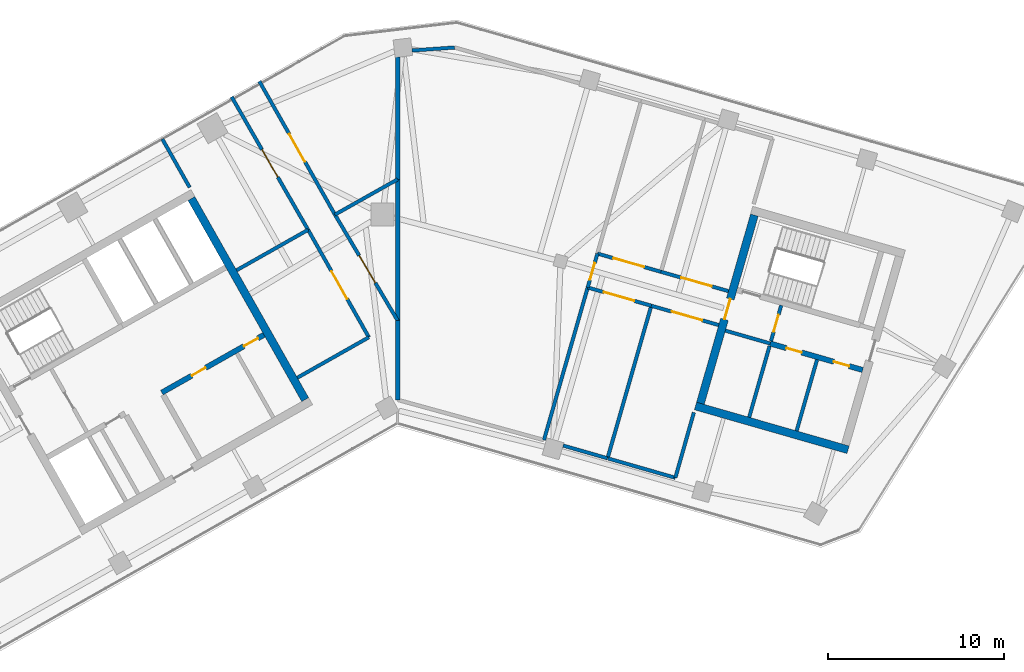
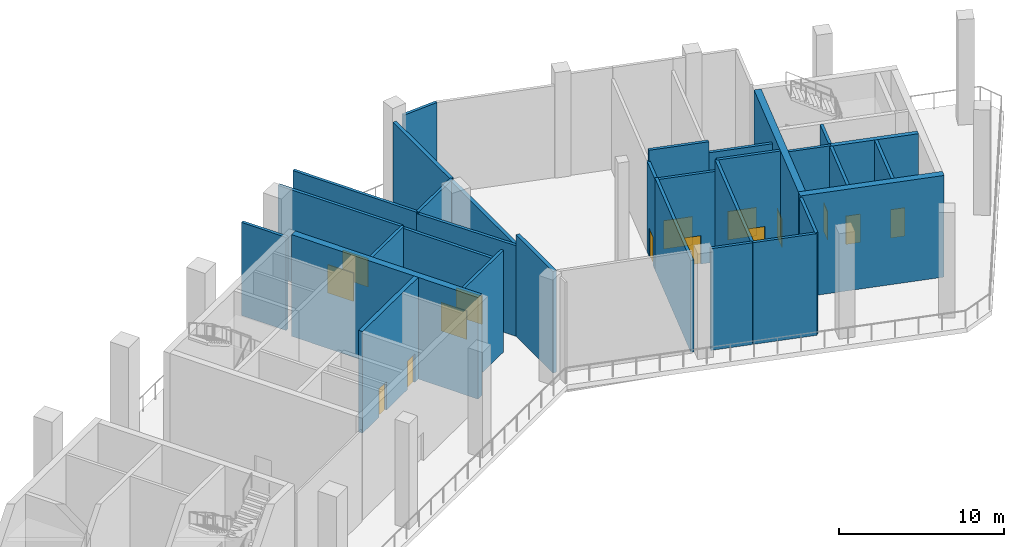
# One storey, part 4 of 8: 31 walls, 15 doors, 15 openings.
"""IFC4 building model written with IfcOpenShell, lengths in metres."""

from ifc_helpers import new_model, si_unit, direction, frame, frame_2d, origin, place, context, subcontext, project, spatial, rectangle, extrude, material, layer, layer_set, type_object, element, fill, save


model = new_model("IFC4")

# Units and contexts
model_context = context("Model", 3, precision=1e-05, world=origin(), true_north=direction((0.0, 1.0)))
body_context = subcontext(model_context, "Body", "Model", "MODEL_VIEW")
ifc_project = project(units=[si_unit("LENGTHUNIT", "METRE"), si_unit("AREAUNIT", "SQUARE_METRE"), si_unit("VOLUMEUNIT", "CUBIC_METRE"), si_unit("PLANEANGLEUNIT", "RADIAN"), si_unit("MASSUNIT", "GRAM", prefix="KILO")], contexts=[model_context])

# Site, building, storey
site_placement = place(None, origin())
site = spatial("IfcSite", under=ifc_project, at=site_placement, CompositionType="ELEMENT")
building_placement = place(site_placement, origin())
building = spatial("IfcBuilding", under=site, at=building_placement, Name="Binnacle Exchange Tower", CompositionType="ELEMENT")
storey_placement = place(building_placement, frame((0.0, 0.0, 230.89990234375)))
storey = spatial("IfcBuildingStorey", under=building, at=storey_placement, Name="L51", CompositionType="ELEMENT", Elevation=230.89990234375)

# Wall
ifc_material_1 = material(Name="Gypsum partition fire rated")
ifc_layer_1 = layer(ifc_material_1, 0.199951171875)
ifc_layer_set_1 = layer_set([ifc_layer_1], Name="Core partition 200")
wall_type_1 = type_object("IfcWallType", Name="Core partition 200", PredefinedType="PARTITIONING", material=ifc_layer_set_1)
wall_1_placement = place(storey_placement, frame((22.623291015625, 47.7392578125, 0.0), z_axis=(0.0, 0.0, 1.0), x_axis=(0.275642273411, 0.961260285827, 0.0)))
element("IfcWall", 1, at=wall_1_placement, inside=storey, type_object=wall_type_1, Name="Core wall CRWD10", PredefinedType="PARTITIONING", context=body_context, shape_type="SweptSolid", body=[
    extrude(rectangle(XDim=4.199951171875, YDim=0.199951171875, at=frame_2d((2.10009765625, 0.0))), origin(), (0.0, 0.0, 1.0), 7.52001953125),
])

# Wall, openings, doors
ifc_material_2 = material(Name="Concrete C70/85", Category="concrete")
ifc_layer_2 = layer(ifc_material_2, 0.300048828125)
ifc_layer_set_2 = layer_set([ifc_layer_2], Name="Core wall - front 300")
wall_type_2 = type_object("IfcWallType", Name="Core wall - front 300", PredefinedType="SOLIDWALL", material=ifc_layer_set_2)
wall_2_placement = place(storey_placement, frame((-13.364501953125, 49.910888671875, 0.0), z_axis=(0.0, 0.0, 1.0), x_axis=(0.870352159619, 0.492429810477, 0.0)))
wall_2 = element("IfcWall", 2, at=wall_2_placement, inside=storey, type_object=wall_type_2, Name="Core wall CRWC3", PredefinedType="SOLIDWALL", context=body_context, shape_type="SweptSolid", body=[
    extrude(rectangle(XDim=6.64990234375, YDim=0.300048828125, at=frame_2d((3.324951171875, 0.0))), origin(), (0.0, 0.0, 1.0), 7.52001953125),
])
opening_1_placement = place(wall_2_placement, frame((1.949951171875, 0.0, 0.0)))
opening_1 = element("IfcOpeningElement", 3, at=opening_1_placement, cuts=wall_2, Name="Opening DC18", PredefinedType="OPENING", context=body_context, shape_type="SweptSolid", body=[
    extrude(rectangle(XDim=0.89990234375, YDim=2.10009765625, at=frame_2d((0.449951171875, 1.050048828125))), frame((0.0, 0.159912109375, 0.0), z_axis=(0.0, -1.0, 0.0), x_axis=(1.0, 0.0, 0.0)), (0.0, 0.0, 1.0), 0.320068359375),
])
opening_2_placement = place(wall_2_placement, frame((5.35009765625, 0.0, 0.0)))
opening_2 = element("IfcOpeningElement", 4, at=opening_2_placement, cuts=wall_2, Name="Opening DC19", PredefinedType="OPENING", context=body_context, shape_type="SweptSolid", body=[
    extrude(rectangle(XDim=0.89990234375, YDim=2.10009765625, at=frame_2d((0.449951171875, 1.050048828125))), frame((0.0, 0.159912109375, 0.0), z_axis=(0.0, -1.0, 0.0), x_axis=(1.0, 0.0, 0.0)), (0.0, 0.0, 1.0), 0.320068359375),
])
ifc_material_3 = material(Name="Steel door leaf", Category="steel")
door_type_1 = type_object("IfcDoorType", Name="Fire door 900", OperationType="NOTDEFINED", PredefinedType="DOOR", material=ifc_material_3)
door_1_placement = place(opening_1_placement, frame((0.89990234375, 0.0, 0.0), z_axis=(0.0, 0.0, 1.0), x_axis=(-1.0, 0.0, 0.0)))
door_1 = element("IfcDoor", 5, at=door_1_placement, inside=storey, type_object=door_type_1, Name="Core room door TELECOM RISER ROOM", OperationType="SINGLE_SWING_RIGHT", OverallHeight=2.10009765625, OverallWidth=0.89990234375, PredefinedType="DOOR", context=body_context, shape_type="SweptSolid", body=[
    extrude(rectangle(XDim=0.89990234375, YDim=2.10009765625, at=frame_2d((0.449951171875, 1.050048828125))), frame((0.0, 0.02490234375, 0.0), z_axis=(0.0, -1.0, 0.0), x_axis=(1.0, 0.0, 0.0)), (0.0, 0.0, 1.0), 0.050048828125),
])
fill(opening_1, door_1)
door_2_placement = place(opening_2_placement, frame((0.89990234375, 0.0, 0.0), z_axis=(0.0, 0.0, 1.0), x_axis=(-1.0, 0.0, 0.0)))
door_2 = element("IfcDoor", 6, at=door_2_placement, inside=storey, type_object=door_type_1, Name="Core room door IT STORE", OperationType="SINGLE_SWING_LEFT", OverallHeight=2.10009765625, OverallWidth=0.89990234375, PredefinedType="DOOR", context=body_context, shape_type="SweptSolid", body=[
    extrude(rectangle(XDim=0.89990234375, YDim=2.10009765625, at=frame_2d((0.449951171875, 1.050048828125))), frame((0.0, 0.02490234375, 0.0), z_axis=(0.0, -1.0, 0.0), x_axis=(1.0, 0.0, 0.0)), (0.0, 0.0, 1.0), 0.050048828125),
])
fill(opening_2, door_2)

wall_3_placement = place(storey_placement, frame((21.130859375, 52.6923828125, 0.0), z_axis=(0.0, 0.0, 1.0), x_axis=(0.961261488075, -0.275638080722, 0.0)))
wall_3 = element("IfcWall", 7, at=wall_3_placement, inside=storey, type_object=wall_type_2, Name="Core wall CRWD3", PredefinedType="SOLIDWALL", context=body_context, shape_type="SweptSolid", body=[
    extrude(rectangle(XDim=5.449951171875, YDim=0.300048828125, at=frame_2d((2.72509765625, 0.0))), origin(), (0.0, 0.0, 1.0), 7.52001953125),
])
opening_3_placement = place(wall_3_placement, frame((0.949951171875, 0.0, 0.0)))
opening_3 = element("IfcOpeningElement", 8, at=opening_3_placement, cuts=wall_3, Name="Opening DD10", PredefinedType="OPENING", context=body_context, shape_type="SweptSolid", body=[
    extrude(rectangle(XDim=0.89990234375, YDim=2.10009765625, at=frame_2d((0.449951171875, 1.050048828125))), frame((0.0, 0.159912109375, 0.0), z_axis=(0.0, -1.0, 0.0), x_axis=(1.0, 0.0, 0.0)), (0.0, 0.0, 1.0), 0.320068359375),
])
opening_4_placement = place(wall_3_placement, frame((3.75, 0.0, 0.0)))
opening_4 = element("IfcOpeningElement", 9, at=opening_4_placement, cuts=wall_3, Name="Opening DD11", PredefinedType="OPENING", context=body_context, shape_type="SweptSolid", body=[
    extrude(rectangle(XDim=0.89990234375, YDim=2.10009765625, at=frame_2d((0.449951171875, 1.050048828125))), frame((0.0, 0.159912109375, 0.0), z_axis=(0.0, -1.0, 0.0), x_axis=(1.0, 0.0, 0.0)), (0.0, 0.0, 1.0), 0.320068359375),
])
door_3_placement = place(opening_3_placement, frame((0.89990234375, 0.0, 0.0), z_axis=(0.0, 0.0, 1.0), x_axis=(-1.0, 0.0, 0.0)))
door_3 = element("IfcDoor", 10, at=door_3_placement, inside=storey, type_object=door_type_1, Name="Core room door COMMS RISER ROOM", OperationType="SINGLE_SWING_RIGHT", OverallHeight=2.10009765625, OverallWidth=0.89990234375, PredefinedType="DOOR", context=body_context, shape_type="SweptSolid", body=[
    extrude(rectangle(XDim=0.89990234375, YDim=2.10009765625, at=frame_2d((0.449951171875, 1.050048828125))), frame((0.0, 0.02490234375, 0.0), z_axis=(0.0, -1.0, 0.0), x_axis=(1.0, 0.0, 0.0)), (0.0, 0.0, 1.0), 0.050048828125),
])
fill(opening_3, door_3)
door_4_placement = place(opening_4_placement, frame((0.89990234375, 0.0, 0.0), z_axis=(0.0, 0.0, 1.0), x_axis=(-1.0, 0.0, 0.0)))
door_4 = element("IfcDoor", 11, at=door_4_placement, inside=storey, type_object=door_type_1, Name="Core room door CLEANERS STORE", OperationType="SINGLE_SWING_LEFT", OverallHeight=2.10009765625, OverallWidth=0.89990234375, PredefinedType="DOOR", context=body_context, shape_type="SweptSolid", body=[
    extrude(rectangle(XDim=0.89990234375, YDim=2.10009765625, at=frame_2d((0.449951171875, 1.050048828125))), frame((0.0, 0.02490234375, 0.0), z_axis=(0.0, -1.0, 0.0), x_axis=(1.0, 0.0, 0.0)), (0.0, 0.0, 1.0), 0.050048828125),
])
fill(opening_4, door_4)

# Walls
ifc_layer_3 = layer(ifc_material_2, 0.449951171875)
ifc_layer_set_3 = layer_set([ifc_layer_3], Name="Core wall - outer 450")
wall_type_3 = type_object("IfcWallType", Name="Core wall - outer 450", PredefinedType="SOLIDWALL", material=ifc_layer_set_3)
wall_4_placement = place(storey_placement, frame((-11.689453125, 60.912109375, 0.0), z_axis=(0.0, 0.0, 1.0), x_axis=(0.492421378713, -0.870356930107, 0.0)))
element("IfcWall", 12, at=wall_4_placement, inside=storey, type_object=wall_type_3, Name="Core wall CRWC24", PredefinedType="SOLIDWALL", context=body_context, shape_type="SweptSolid", body=[
    extrude(rectangle(XDim=13.099853515625, YDim=0.449951171875, at=frame_2d((6.5498046875, 0.0))), origin(), (0.0, 0.0, 1.0), 7.52001953125),
])
wall_5_placement = place(storey_placement, frame((16.889892578125, 49.149169921875, 0.0), z_axis=(0.0, 0.0, 1.0), x_axis=(0.96126248289, -0.275634611374, 0.0)))
element("IfcWall", 13, at=wall_5_placement, inside=storey, type_object=wall_type_3, Name="Core wall CRWD1", PredefinedType="SOLIDWALL", context=body_context, shape_type="SweptSolid", body=[
    extrude(rectangle(XDim=9.0, YDim=0.449951171875, at=frame_2d((4.5, 0.0))), origin(), (0.0, 0.0, 1.0), 7.52001953125),
])

# Wall, opening, door
wall_6_placement = place(storey_placement, frame((17.168212890625, 49.303466796875, 0.0), z_axis=(0.0, 0.0, 1.0), x_axis=(0.275638974822, 0.961261231695, 0.0)))
wall_6 = element("IfcWall", 14, at=wall_6_placement, inside=storey, type_object=wall_type_3, Name="Core wall CRWD7", PredefinedType="SOLIDWALL", context=body_context, shape_type="SweptSolid", body=[
    extrude(rectangle(XDim=11.099853515625, YDim=0.449951171875, at=frame_2d((5.5498046875, 0.0))), origin(), (0.0, 0.0, 1.0), 7.52001953125),
])
opening_5_placement = place(wall_6_placement, frame((4.9501953125, 0.0, 0.0)))
opening_5 = element("IfcOpeningElement", 15, at=opening_5_placement, cuts=wall_6, Name="Opening DD5", PredefinedType="OPENING", context=body_context, shape_type="SweptSolid", body=[
    extrude(rectangle(XDim=1.199951171875, YDim=2.10009765625, at=frame_2d((0.60009765625, 1.050048828125))), frame((0.0, 0.23486328125, 0.0), z_axis=(0.0, -1.0, 0.0), x_axis=(1.0, 0.0, 0.0)), (0.0, 0.0, 1.0), 0.469970703125),
])
door_type_2 = type_object("IfcDoorType", Name="Fire door 1200", OperationType="NOTDEFINED", PredefinedType="DOOR", material=ifc_material_3)
door_5_placement = place(opening_5_placement, origin())
door_5 = element("IfcDoor", 16, at=door_5_placement, inside=storey, type_object=door_type_2, Name="Vestibule exit door VEST-W", OperationType="SINGLE_SWING_RIGHT", OverallHeight=2.10009765625, OverallWidth=1.199951171875, PredefinedType="DOOR", context=body_context, shape_type="SweptSolid", body=[
    extrude(rectangle(XDim=1.199951171875, YDim=2.10009765625, at=frame_2d((0.60009765625, 1.050048828125))), frame((0.0, 0.02490234375, 0.0), z_axis=(0.0, -1.0, 0.0), x_axis=(1.0, 0.0, 0.0)), (0.0, 0.0, 1.0), 0.050048828125),
])
fill(opening_5, door_5)

# Wall
ifc_material_4 = material(Name="Masonry block wall", Category="masonry")
ifc_layer_4 = layer(ifc_material_4, 0.199951171875)
ifc_layer_set_4 = layer_set([ifc_layer_4], Name="Fire wall - block 200")
wall_type_4 = type_object("IfcWallType", Name="Fire wall - block 200", PredefinedType="PARTITIONING", material=ifc_layer_set_4)
wall_7_placement = place(storey_placement, frame((-13.3369140625, 64.281982421875, 0.0), z_axis=(0.0, 0.0, 1.0), x_axis=(0.492254242764, -0.870451469342, 0.0)))
element("IfcWall", 17, at=wall_7_placement, inside=storey, type_object=wall_type_4, Name="Partition W10", PredefinedType="PARTITIONING", context=body_context, shape_type="SweptSolid", body=[
    extrude(rectangle(XDim=3.14453125, YDim=0.199951171875, at=frame_2d((1.572265625, 0.0))), origin(), (0.0, 0.0, 1.0), 6.88818359375),
])

# Wall, opening, door
wall_8_placement = place(storey_placement, frame((-9.407958984375, 66.677001953125, 0.0), z_axis=(0.0, 0.0, 1.0), x_axis=(0.498350836267, -0.866975457549, 0.0)))
wall_8 = element("IfcWall", 18, at=wall_8_placement, inside=storey, type_object=wall_type_4, Name="Partition W11", PredefinedType="PARTITIONING", context=body_context, shape_type="SweptSolid", body=[
    extrude(rectangle(XDim=8.694580078125, YDim=0.199951171875, at=frame_2d((4.34716796875, 0.0))), origin(), (0.0, 0.0, 1.0), 6.800048828125),
])
opening_6_placement = place(wall_8_placement, frame((3.449951171875, 0.0, 0.0)))
opening_6 = element("IfcOpeningElement", 19, at=opening_6_placement, cuts=wall_8, Name="Opening DL51-06", PredefinedType="OPENING", context=body_context, shape_type="SweptSolid", body=[
    extrude(rectangle(XDim=1.800048828125, YDim=2.10009765625, at=frame_2d((0.89990234375, 1.050048828125))), frame((0.0, 0.10986328125, 0.0), z_axis=(0.0, -1.0, 0.0), x_axis=(1.0, 0.0, 0.0)), (0.0, 0.0, 1.0), 0.219970703125),
])
door_type_3 = type_object("IfcDoorType", Name="Fire door 1800", OperationType="NOTDEFINED", PredefinedType="DOOR", material=ifc_material_3)
door_6_placement = place(opening_6_placement, frame((1.800048828125, 0.0, 0.0), z_axis=(0.0, 0.0, 1.0), x_axis=(-1.0, 0.0, 0.0)))
door_6 = element("IfcDoor", 20, at=door_6_placement, inside=storey, type_object=door_type_3, Name="Door DL51-06", OperationType="DOUBLE_DOOR_SINGLE_SWING", OverallHeight=2.10009765625, OverallWidth=1.800048828125, PredefinedType="DOOR", context=body_context, shape_type="SweptSolid", body=[
    extrude(rectangle(XDim=1.800048828125, YDim=2.10009765625, at=frame_2d((0.89990234375, 1.050048828125))), frame((0.0, 0.02490234375, 0.0), z_axis=(0.0, -1.0, 0.0), x_axis=(1.0, 0.0, 0.0)), (0.0, 0.0, 1.0), 0.050048828125),
])
fill(opening_6, door_6)

# Wall
wall_9_placement = place(storey_placement, frame((-9.1298828125, 56.844970703125, 0.0), z_axis=(0.0, 0.0, 1.0), x_axis=(0.870376359509, 0.49238703558, 0.0)))
element("IfcWall", 21, at=wall_9_placement, inside=storey, type_object=wall_type_4, Name="Partition W12", PredefinedType="PARTITIONING", context=body_context, shape_type="SweptSolid", body=[
    extrude(rectangle(XDim=4.658935546875, YDim=0.199951171875, at=frame_2d((2.32958984375, 0.0))), origin(), (0.0, 0.0, 1.0), 6.800048828125),
])

# Wall, opening, door
wall_10_placement = place(storey_placement, frame((-7.841064453125, 67.56396484375, 0.0), z_axis=(0.0, 0.0, 1.0), x_axis=(0.49330585857, -0.869855924795, 0.0)))
wall_10 = element("IfcWall", 22, at=wall_10_placement, inside=storey, type_object=wall_type_4, Name="Partition W13", PredefinedType="PARTITIONING", context=body_context, shape_type="SweptSolid", body=[
    extrude(rectangle(XDim=8.694580078125, YDim=0.199951171875, at=frame_2d((4.34716796875, 0.0))), origin(), (0.0, 0.0, 1.0), 6.800048828125),
])
opening_7_placement = place(wall_10_placement, frame((3.449951171875, 0.0, 0.0)))
opening_7 = element("IfcOpeningElement", 23, at=opening_7_placement, cuts=wall_10, Name="Opening DL51-08", PredefinedType="OPENING", context=body_context, shape_type="SweptSolid", body=[
    extrude(rectangle(XDim=1.800048828125, YDim=2.10009765625, at=frame_2d((0.89990234375, 1.050048828125))), frame((0.0, 0.10986328125, 0.0), z_axis=(0.0, -1.0, 0.0), x_axis=(1.0, 0.0, 0.0)), (0.0, 0.0, 1.0), 0.219970703125),
])
door_7_placement = place(opening_7_placement, origin())
door_7 = element("IfcDoor", 24, at=door_7_placement, inside=storey, type_object=door_type_3, Name="Door DL51-08", OperationType="DOUBLE_DOOR_SINGLE_SWING", OverallHeight=2.10009765625, OverallWidth=1.800048828125, PredefinedType="DOOR", context=body_context, shape_type="SweptSolid", body=[
    extrude(rectangle(XDim=1.800048828125, YDim=2.10009765625, at=frame_2d((0.89990234375, 1.050048828125))), frame((0.0, 0.02490234375, 0.0), z_axis=(0.0, -1.0, 0.0), x_axis=(1.0, 0.0, 0.0)), (0.0, 0.0, 1.0), 0.050048828125),
])
fill(opening_7, door_7)

# Wall
wall_11_placement = place(storey_placement, frame((-5.68310546875, 50.7529296875, 0.0), z_axis=(0.0, 0.0, 1.0), x_axis=(0.870366606776, 0.492404274767, 0.0)))
element("IfcWall", 25, at=wall_11_placement, inside=storey, type_object=wall_type_4, Name="Partition W14", PredefinedType="PARTITIONING", context=body_context, shape_type="SweptSolid", body=[
    extrude(rectangle(XDim=4.6591796875, YDim=0.199951171875, at=frame_2d((2.32958984375, 0.0))), origin(), (0.0, 0.0, 1.0), 7.52001953125),
])

# Wall, opening, door
wall_12_placement = place(storey_placement, frame((-5.074951171875, 59.138916015625, 0.0), z_axis=(0.0, 0.0, 1.0), x_axis=(0.492472114048, -0.870328223652, 0.0)))
wall_12 = element("IfcWall", 26, at=wall_12_placement, inside=storey, type_object=wall_type_4, Name="Partition W15", PredefinedType="PARTITIONING", context=body_context, shape_type="SweptSolid", body=[
    extrude(rectangle(XDim=6.99951171875, YDim=0.199951171875, at=frame_2d((3.499755859375, 0.0))), origin(), (0.0, 0.0, 1.0), 6.7001953125),
])
opening_8_placement = place(wall_12_placement, frame((2.699951171875, 0.0, 0.0)))
opening_8 = element("IfcOpeningElement", 27, at=opening_8_placement, cuts=wall_12, Name="Opening DL51-05", PredefinedType="OPENING", context=body_context, shape_type="SweptSolid", body=[
    extrude(rectangle(XDim=1.800048828125, YDim=2.10009765625, at=frame_2d((0.89990234375, 1.050048828125))), frame((0.0, 0.10986328125, 0.0), z_axis=(0.0, -1.0, 0.0), x_axis=(1.0, 0.0, 0.0)), (0.0, 0.0, 1.0), 0.219970703125),
])
door_8_placement = place(opening_8_placement, frame((1.800048828125, 0.0, 0.0), z_axis=(0.0, 0.0, 1.0), x_axis=(-1.0, 0.0, 0.0)))
door_8 = element("IfcDoor", 28, at=door_8_placement, inside=storey, type_object=door_type_3, Name="Door DL51-05", OperationType="DOUBLE_DOOR_SINGLE_SWING", OverallHeight=2.10009765625, OverallWidth=1.800048828125, PredefinedType="DOOR", context=body_context, shape_type="SweptSolid", body=[
    extrude(rectangle(XDim=1.800048828125, YDim=2.10009765625, at=frame_2d((0.89990234375, 1.050048828125))), frame((0.0, 0.02490234375, 0.0), z_axis=(0.0, -1.0, 0.0), x_axis=(1.0, 0.0, 0.0)), (0.0, 0.0, 1.0), 0.050048828125),
])
fill(opening_8, door_8)

wall_13_placement = place(storey_placement, frame((-3.552001953125, 60.0009765625, 0.0), z_axis=(0.0, 0.0, 1.0), x_axis=(0.509363754352, -0.860551315002, 0.0)))
wall_13 = element("IfcWall", 29, at=wall_13_placement, inside=storey, type_object=wall_type_4, Name="Partition W16", PredefinedType="PARTITIONING", context=body_context, shape_type="SweptSolid", body=[
    extrude(rectangle(XDim=6.973388671875, YDim=0.199951171875, at=frame_2d((3.48681640625, 0.0))), origin(), (0.0, 0.0, 1.0), 6.7001953125),
])
opening_9_placement = place(wall_13_placement, frame((2.699951171875, 0.0, 0.0)))
opening_9 = element("IfcOpeningElement", 30, at=opening_9_placement, cuts=wall_13, Name="Opening DL51-07", PredefinedType="OPENING", context=body_context, shape_type="SweptSolid", body=[
    extrude(rectangle(XDim=1.800048828125, YDim=2.10009765625, at=frame_2d((0.89990234375, 1.050048828125))), frame((0.0, 0.10986328125, 0.0), z_axis=(0.0, -1.0, 0.0), x_axis=(1.0, 0.0, 0.0)), (0.0, 0.0, 1.0), 0.219970703125),
])
door_9_placement = place(opening_9_placement, origin())
door_9 = element("IfcDoor", 31, at=door_9_placement, inside=storey, type_object=door_type_3, Name="Door DL51-07", OperationType="DOUBLE_DOOR_SINGLE_SWING", OverallHeight=2.10009765625, OverallWidth=1.800048828125, PredefinedType="DOOR", context=body_context, shape_type="SweptSolid", body=[
    extrude(rectangle(XDim=1.800048828125, YDim=2.10009765625, at=frame_2d((0.89990234375, 1.050048828125))), frame((0.0, 0.02490234375, 0.0), z_axis=(0.0, -1.0, 0.0), x_axis=(1.0, 0.0, 0.0)), (0.0, 0.0, 1.0), 0.050048828125),
])
fill(opening_9, door_9)

# Walls
wall_14_placement = place(storey_placement, frame((-3.552001953125, 60.0009765625, 0.0), z_axis=(0.0, 0.0, 1.0), x_axis=(0.87146833824, 0.490451766686, 0.0)))
element("IfcWall", 32, at=wall_14_placement, inside=storey, type_object=wall_type_4, Name="Partition W17", PredefinedType="PARTITIONING", context=body_context, shape_type="SweptSolid", body=[
    extrude(rectangle(XDim=4.075927734375, YDim=0.199951171875, at=frame_2d((2.0380859375, 0.0))), origin(), (0.0, 0.0, 1.0), 6.800048828125),
])
wall_15_placement = place(storey_placement, frame((0.822021484375, 69.306884765625, 0.0), z_axis=(0.0, 0.0, 1.0), x_axis=(0.997583073063, 0.069483899852, 0.0)))
element("IfcWall", 33, at=wall_15_placement, inside=storey, type_object=wall_type_4, Name="Partition W23", PredefinedType="PARTITIONING", context=body_context, shape_type="SweptSolid", body=[
    extrude(rectangle(XDim=2.4208984375, YDim=0.199951171875, at=frame_2d((1.21044921875, 0.0))), origin(), (0.0, 0.0, 1.0), 6.800048828125),
])
wall_16_placement = place(storey_placement, frame((8.298095703125, 47.218017578125, 0.0), z_axis=(0.0, 0.0, 1.0), x_axis=(0.275674053528, 0.961251172281, 0.0)))
element("IfcWall", 34, at=wall_16_placement, inside=storey, type_object=wall_type_4, Name="Partition W25", PredefinedType="PARTITIONING", context=body_context, shape_type="SweptSolid", body=[
    extrude(rectangle(XDim=8.99951171875, YDim=0.199951171875, at=frame_2d((4.499755859375, 0.0))), origin(), (0.0, 0.0, 1.0), 6.800048828125),
])
wall_17_placement = place(storey_placement, frame((9.383056640625, 46.906982421875, 0.0), z_axis=(0.0, 0.0, 1.0), x_axis=(0.961237645594, -0.275721215529, 0.0)))
element("IfcWall", 35, at=wall_17_placement, inside=storey, type_object=wall_type_4, Name="Partition W26", PredefinedType="PARTITIONING", context=body_context, shape_type="SweptSolid", body=[
    extrude(rectangle(XDim=2.611328125, YDim=0.199951171875, at=frame_2d((1.3056640625, 0.0))), origin(), (0.0, 0.0, 1.0), 7.52001953125),
])

# Wall, opening, door
wall_18_placement = place(storey_placement, frame((10.779052734375, 55.868896484375, 0.0), z_axis=(0.0, 0.0, 1.0), x_axis=(0.275575706981, 0.961279371318, 0.0)))
wall_18 = element("IfcWall", 36, at=wall_18_placement, inside=storey, type_object=wall_type_4, Name="Partition W27", PredefinedType="PARTITIONING", context=body_context, shape_type="SweptSolid", body=[
    extrude(rectangle(XDim=1.99951171875, YDim=0.199951171875, at=frame_2d((0.999755859375, 0.0))), origin(), (0.0, 0.0, 1.0), 6.7001953125),
])
opening_10_placement = place(wall_18_placement, frame((0.449951171875, 0.0, 0.0)))
opening_10 = element("IfcOpeningElement", 37, at=opening_10_placement, cuts=wall_18, Name="Opening DL51-13", PredefinedType="OPENING", context=body_context, shape_type="SweptSolid", body=[
    extrude(rectangle(XDim=1.0, YDim=2.10009765625, at=frame_2d((0.5, 1.050048828125))), frame((0.0, 0.10986328125, 0.0), z_axis=(0.0, -1.0, 0.0), x_axis=(1.0, 0.0, 0.0)), (0.0, 0.0, 1.0), 0.219970703125),
])
door_type_4 = type_object("IfcDoorType", Name="Fire door 1000", OperationType="NOTDEFINED", PredefinedType="DOOR", material=ifc_material_3)
door_10_placement = place(opening_10_placement, origin())
door_10 = element("IfcDoor", 38, at=door_10_placement, inside=storey, type_object=door_type_4, Name="Door DL51-13", OperationType="SINGLE_SWING_LEFT", OverallHeight=2.10009765625, OverallWidth=1.0, PredefinedType="DOOR", context=body_context, shape_type="SweptSolid", body=[
    extrude(rectangle(XDim=1.0, YDim=2.10009765625, at=frame_2d((0.5, 1.050048828125))), frame((0.0, 0.02490234375, 0.0), z_axis=(0.0, -1.0, 0.0), x_axis=(1.0, 0.0, 0.0)), (0.0, 0.0, 1.0), 0.050048828125),
])
fill(opening_10, door_10)

wall_19_placement = place(storey_placement, frame((10.779052734375, 55.868896484375, 0.0), z_axis=(0.0, 0.0, 1.0), x_axis=(0.961245866545, -0.275692553489, 0.0)))
wall_19 = element("IfcWall", 39, at=wall_19_placement, inside=storey, type_object=wall_type_4, Name="Partition W28", PredefinedType="PARTITIONING", context=body_context, shape_type="SweptSolid", body=[
    extrude(rectangle(XDim=3.750244140625, YDim=0.199951171875, at=frame_2d((1.875, 0.0))), origin(), (0.0, 0.0, 1.0), 6.7001953125),
])
opening_11_placement = place(wall_19_placement, frame((0.949951171875, 0.0, 0.0)))
opening_11 = element("IfcOpeningElement", 40, at=opening_11_placement, cuts=wall_19, Name="Opening DL51-11", PredefinedType="OPENING", context=body_context, shape_type="SweptSolid", body=[
    extrude(rectangle(XDim=1.800048828125, YDim=2.10009765625, at=frame_2d((0.89990234375, 1.050048828125))), frame((0.0, 0.10986328125, 0.0), z_axis=(0.0, -1.0, 0.0), x_axis=(1.0, 0.0, 0.0)), (0.0, 0.0, 1.0), 0.219970703125),
])
door_11_placement = place(opening_11_placement, frame((1.800048828125, 0.0, 0.0), z_axis=(0.0, 0.0, 1.0), x_axis=(-1.0, 0.0, 0.0)))
door_11 = element("IfcDoor", 41, at=door_11_placement, inside=storey, type_object=door_type_3, Name="Door DL51-11", OperationType="DOUBLE_DOOR_SINGLE_SWING", OverallHeight=2.10009765625, OverallWidth=1.800048828125, PredefinedType="DOOR", context=body_context, shape_type="SweptSolid", body=[
    extrude(rectangle(XDim=1.800048828125, YDim=2.10009765625, at=frame_2d((0.89990234375, 1.050048828125))), frame((0.0, 0.02490234375, 0.0), z_axis=(0.0, -1.0, 0.0), x_axis=(1.0, 0.0, 0.0)), (0.0, 0.0, 1.0), 0.050048828125),
])
fill(opening_11, door_11)

wall_20_placement = place(storey_placement, frame((11.330078125, 57.791015625, 0.0), z_axis=(0.0, 0.0, 1.0), x_axis=(0.961314848061, -0.275451924837, 0.0)))
wall_20 = element("IfcWall", 42, at=wall_20_placement, inside=storey, type_object=wall_type_4, Name="Partition W31", PredefinedType="PARTITIONING", context=body_context, shape_type="SweptSolid", body=[
    extrude(rectangle(XDim=3.75, YDim=0.199951171875, at=frame_2d((1.875, 0.0))), origin(), (0.0, 0.0, 1.0), 7.52001953125),
])
opening_12_placement = place(wall_20_placement, frame((0.949951171875, 0.0, 0.0)))
opening_12 = element("IfcOpeningElement", 43, at=opening_12_placement, cuts=wall_20, Name="Opening DL51-09", PredefinedType="OPENING", context=body_context, shape_type="SweptSolid", body=[
    extrude(rectangle(XDim=1.800048828125, YDim=2.10009765625, at=frame_2d((0.89990234375, 1.050048828125))), frame((0.0, 0.10986328125, 0.0), z_axis=(0.0, -1.0, 0.0), x_axis=(1.0, 0.0, 0.0)), (0.0, 0.0, 1.0), 0.219970703125),
])
door_12_placement = place(opening_12_placement, origin())
door_12 = element("IfcDoor", 44, at=door_12_placement, inside=storey, type_object=door_type_3, Name="Door DL51-09", OperationType="DOUBLE_DOOR_SINGLE_SWING", OverallHeight=2.10009765625, OverallWidth=1.800048828125, PredefinedType="DOOR", context=body_context, shape_type="SweptSolid", body=[
    extrude(rectangle(XDim=1.800048828125, YDim=2.10009765625, at=frame_2d((0.89990234375, 1.050048828125))), frame((0.0, 0.02490234375, 0.0), z_axis=(0.0, -1.0, 0.0), x_axis=(1.0, 0.0, 0.0)), (0.0, 0.0, 1.0), 0.050048828125),
])
fill(opening_12, door_12)

# Walls
wall_21_placement = place(storey_placement, frame((11.903076171875, 46.18408203125, 0.0), z_axis=(0.0, 0.0, 1.0), x_axis=(0.275674053528, 0.961251172281, 0.0)))
element("IfcWall", 45, at=wall_21_placement, inside=storey, type_object=wall_type_4, Name="Partition W32", PredefinedType="PARTITIONING", context=body_context, shape_type="SweptSolid", body=[
    extrude(rectangle(XDim=8.99951171875, YDim=0.199951171875, at=frame_2d((4.499755859375, 0.0))), origin(), (0.0, 0.0, 1.0), 7.52001953125),
])
wall_22_placement = place(storey_placement, frame((11.922119140625, 46.177978515625, 0.0), z_axis=(0.0, 0.0, 1.0), x_axis=(0.961271234801, -0.275604087675, 0.0)))
element("IfcWall", 46, at=wall_22_placement, inside=storey, type_object=wall_type_4, Name="Partition W33", PredefinedType="PARTITIONING", context=body_context, shape_type="SweptSolid", body=[
    extrude(rectangle(XDim=3.97998046875, YDim=0.199951171875, at=frame_2d((1.989990234375, 0.0))), origin(), (0.0, 0.0, 1.0), 7.52001953125),
])

# Wall, opening, door
wall_23_placement = place(storey_placement, frame((14.384033203125, 54.8349609375, 0.0), z_axis=(0.0, 0.0, 1.0), x_axis=(0.961261679898, -0.275637411757, 0.0)))
wall_23 = element("IfcWall", 47, at=wall_23_placement, inside=storey, type_object=wall_type_4, Name="Partition W35", PredefinedType="PARTITIONING", context=body_context, shape_type="SweptSolid", body=[
    extrude(rectangle(XDim=3.97607421875, YDim=0.199951171875, at=frame_2d((1.988037109375, 0.0))), origin(), (0.0, 0.0, 1.0), 7.52001953125),
])
opening_13_placement = place(wall_23_placement, frame((1.199951171875, 0.0, 0.0)))
opening_13 = element("IfcOpeningElement", 48, at=opening_13_placement, cuts=wall_23, Name="Opening DL51-12", PredefinedType="OPENING", context=body_context, shape_type="SweptSolid", body=[
    extrude(rectangle(XDim=1.800048828125, YDim=2.10009765625, at=frame_2d((0.89990234375, 1.050048828125))), frame((0.0, 0.10986328125, 0.0), z_axis=(0.0, -1.0, 0.0), x_axis=(1.0, 0.0, 0.0)), (0.0, 0.0, 1.0), 0.219970703125),
])
door_13_placement = place(opening_13_placement, frame((1.800048828125, 0.0, 0.0), z_axis=(0.0, 0.0, 1.0), x_axis=(-1.0, 0.0, 0.0)))
door_13 = element("IfcDoor", 49, at=door_13_placement, inside=storey, type_object=door_type_3, Name="Door DL51-12", OperationType="DOUBLE_DOOR_SINGLE_SWING", OverallHeight=2.10009765625, OverallWidth=1.800048828125, PredefinedType="DOOR", context=body_context, shape_type="SweptSolid", body=[
    extrude(rectangle(XDim=1.800048828125, YDim=2.10009765625, at=frame_2d((0.89990234375, 1.050048828125))), frame((0.0, 0.02490234375, 0.0), z_axis=(0.0, -1.0, 0.0), x_axis=(1.0, 0.0, 0.0)), (0.0, 0.0, 1.0), 0.050048828125),
])
fill(opening_13, door_13)

wall_24_placement = place(storey_placement, frame((14.93505859375, 56.758056640625, 0.0), z_axis=(0.0, 0.0, 1.0), x_axis=(0.961261679898, -0.275637411757, 0.0)))
wall_24 = element("IfcWall", 50, at=wall_24_placement, inside=storey, type_object=wall_type_4, Name="Partition W37", PredefinedType="PARTITIONING", context=body_context, shape_type="SweptSolid", body=[
    extrude(rectangle(XDim=3.97607421875, YDim=0.199951171875, at=frame_2d((1.988037109375, 0.0))), origin(), (0.0, 0.0, 1.0), 6.7001953125),
])
opening_14_placement = place(wall_24_placement, frame((1.199951171875, 0.0, 0.0)))
opening_14 = element("IfcOpeningElement", 51, at=opening_14_placement, cuts=wall_24, Name="Opening DL51-10", PredefinedType="OPENING", context=body_context, shape_type="SweptSolid", body=[
    extrude(rectangle(XDim=1.800048828125, YDim=2.10009765625, at=frame_2d((0.89990234375, 1.050048828125))), frame((0.0, 0.10986328125, 0.0), z_axis=(0.0, -1.0, 0.0), x_axis=(1.0, 0.0, 0.0)), (0.0, 0.0, 1.0), 0.219970703125),
])
door_14_placement = place(opening_14_placement, origin())
door_14 = element("IfcDoor", 52, at=door_14_placement, inside=storey, type_object=door_type_3, Name="Door DL51-10", OperationType="DOUBLE_DOOR_SINGLE_SWING", OverallHeight=2.10009765625, OverallWidth=1.800048828125, PredefinedType="DOOR", context=body_context, shape_type="SweptSolid", body=[
    extrude(rectangle(XDim=1.800048828125, YDim=2.10009765625, at=frame_2d((0.89990234375, 1.050048828125))), frame((0.0, 0.02490234375, 0.0), z_axis=(0.0, -1.0, 0.0), x_axis=(1.0, 0.0, 0.0)), (0.0, 0.0, 1.0), 0.050048828125),
])
fill(opening_14, door_14)

# Walls
wall_25_placement = place(storey_placement, frame((15.748046875, 45.0810546875, 0.0), z_axis=(0.0, 0.0, 1.0), x_axis=(0.272987031543, 0.962017713251, 0.0)))
element("IfcWall", 53, at=wall_25_placement, inside=storey, type_object=wall_type_4, Name="Partition W38", PredefinedType="PARTITIONING", context=body_context, shape_type="SweptSolid", body=[
    extrude(rectangle(XDim=3.85009765625, YDim=0.199951171875, at=frame_2d((1.925048828125, 0.0))), origin(), (0.0, 0.0, 1.0), 7.52001953125),
])
ifc_material_5 = material(Name="Concrete fire wall C30/37", Category="concrete")
ifc_layer_5 = layer(ifc_material_5, 0.25)
ifc_layer_set_5 = layer_set([ifc_layer_5], Name="Fire wall - compartment 250")
wall_type_5 = type_object("IfcWallType", Name="Fire wall - compartment 250", PredefinedType="PARTITIONING", material=ifc_layer_set_5)
wall_26_placement = place(storey_placement, frame((0.0, 49.5, 0.0), z_axis=(0.0, 0.0, 1.0), x_axis=(0.0, 1.0, 0.0)))
element("IfcWall", 54, at=wall_26_placement, inside=storey, type_object=wall_type_5, Name="Fire Wall W19", PredefinedType="PARTITIONING", context=body_context, shape_type="SweptSolid", body=[
    extrude(rectangle(XDim=4.5, YDim=0.25, at=frame_2d((2.25, 0.0))), origin(), (0.0, 0.0, 1.0), 7.52001953125),
])
wall_27_placement = place(storey_placement, frame((0.0, 54.0, 0.0), z_axis=(0.0, 0.0, 1.0), x_axis=(0.0, 1.0, 0.0)))
element("IfcWall", 55, at=wall_27_placement, inside=storey, type_object=wall_type_5, Name="Fire Wall W20", PredefinedType="PARTITIONING", context=body_context, shape_type="SweptSolid", body=[
    extrude(rectangle(XDim=8.0, YDim=0.25, at=frame_2d((4.0, 0.0))), origin(), (0.0, 0.0, 1.0), 6.7001953125),
])
wall_28_placement = place(storey_placement, frame((0.0, 62.0, 0.0), z_axis=(0.0, 0.0, 1.0), x_axis=(0.0, 1.0, 0.0)))
element("IfcWall", 56, at=wall_28_placement, inside=storey, type_object=wall_type_5, Name="Fire Wall W21", PredefinedType="PARTITIONING", context=body_context, shape_type="SweptSolid", body=[
    extrude(rectangle(XDim=6.925048828125, YDim=0.25, at=frame_2d((3.46240234375, 0.0))), origin(), (0.0, 0.0, 1.0), 6.800048828125),
])

# Wall, opening, door
ifc_layer_6 = layer(ifc_material_4, 0.199951171875)
ifc_layer_set_6 = layer_set([ifc_layer_6], Name="Fire wall - vestibule 200")
wall_type_6 = type_object("IfcWallType", Name="Fire wall - vestibule 200", PredefinedType="PARTITIONING", material=ifc_layer_set_6)
wall_29_placement = place(storey_placement, frame((21.172119140625, 52.836669921875, 0.0), z_axis=(0.0, 0.0, 1.0), x_axis=(0.275657676022, 0.961255868981, 0.0)))
wall_29 = element("IfcWall", 57, at=wall_29_placement, inside=storey, type_object=wall_type_6, Name="Core wall CRWD9", PredefinedType="PARTITIONING", context=body_context, shape_type="SweptSolid", body=[
    extrude(rectangle(XDim=2.099853515625, YDim=0.199951171875, at=frame_2d((1.0498046875, 0.0))), origin(), (0.0, 0.0, 1.0), 7.52001953125),
])
opening_15_placement = place(wall_29_placement, frame((0.550048828125, 0.0, 0.0)))
opening_15 = element("IfcOpeningElement", 58, at=opening_15_placement, cuts=wall_29, Name="Opening DD3", PredefinedType="OPENING", context=body_context, shape_type="SweptSolid", body=[
    extrude(rectangle(XDim=1.0, YDim=2.10009765625, at=frame_2d((0.5, 1.050048828125))), frame((0.0, 0.10986328125, 0.0), z_axis=(0.0, -1.0, 0.0), x_axis=(1.0, 0.0, 0.0)), (0.0, 0.0, 1.0), 0.219970703125),
])
door_15_placement = place(opening_15_placement, origin())
door_15 = element("IfcDoor", 59, at=door_15_placement, inside=storey, type_object=door_type_4, Name="Vestibule door VEST-W", OperationType="SINGLE_SWING_RIGHT", OverallHeight=2.10009765625, OverallWidth=1.0, PredefinedType="DOOR", context=body_context, shape_type="SweptSolid", body=[
    extrude(rectangle(XDim=1.0, YDim=2.10009765625, at=frame_2d((0.5, 1.050048828125))), frame((0.0, 0.02490234375, 0.0), z_axis=(0.0, -1.0, 0.0), x_axis=(1.0, 0.0, 0.0)), (0.0, 0.0, 1.0), 0.050048828125),
])
fill(opening_15, door_15)

# Walls
ifc_layer_7 = layer(ifc_material_4, 0.199951171875)
ifc_layer_set_7 = layer_set([ifc_layer_7], Name="Riser wall 200")
wall_type_7 = type_object("IfcWallType", Name="Riser wall 200", PredefinedType="SOLIDWALL", material=ifc_layer_set_7)
wall_30_placement = place(storey_placement, frame((18.58349609375, 53.4228515625, 0.0), z_axis=(0.0, 0.0, 1.0), x_axis=(0.961259287968, -0.275645753268, 0.0)))
element("IfcWall", 60, at=wall_30_placement, inside=storey, type_object=wall_type_7, Name="Core wall CRWD2", PredefinedType="SOLIDWALL", context=body_context, shape_type="SweptSolid", body=[
    extrude(rectangle(XDim=2.650146484375, YDim=0.199951171875, at=frame_2d((1.3251953125, 0.0))), origin(), (0.0, 0.0, 1.0), 7.52001953125),
])
wall_31_placement = place(storey_placement, frame((19.931884765625, 48.510986328125, 0.0), z_axis=(0.0, 0.0, 1.0), x_axis=(0.275642273411, 0.961260285827, 0.0)))
element("IfcWall", 61, at=wall_31_placement, inside=storey, type_object=wall_type_7, Name="Core wall CRWD8", PredefinedType="SOLIDWALL", context=body_context, shape_type="SweptSolid", body=[
    extrude(rectangle(XDim=4.199951171875, YDim=0.199951171875, at=frame_2d((2.10009765625, 0.0))), origin(), (0.0, 0.0, 1.0), 7.52001953125),
])

save(model, "model.ifc")
